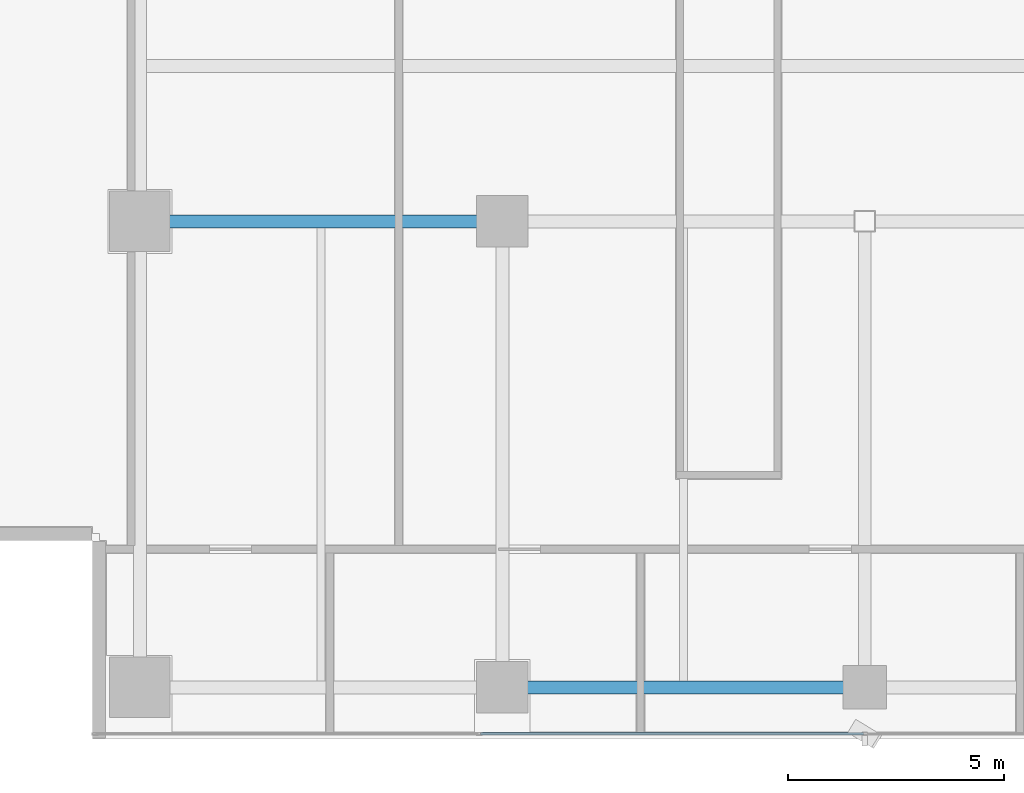
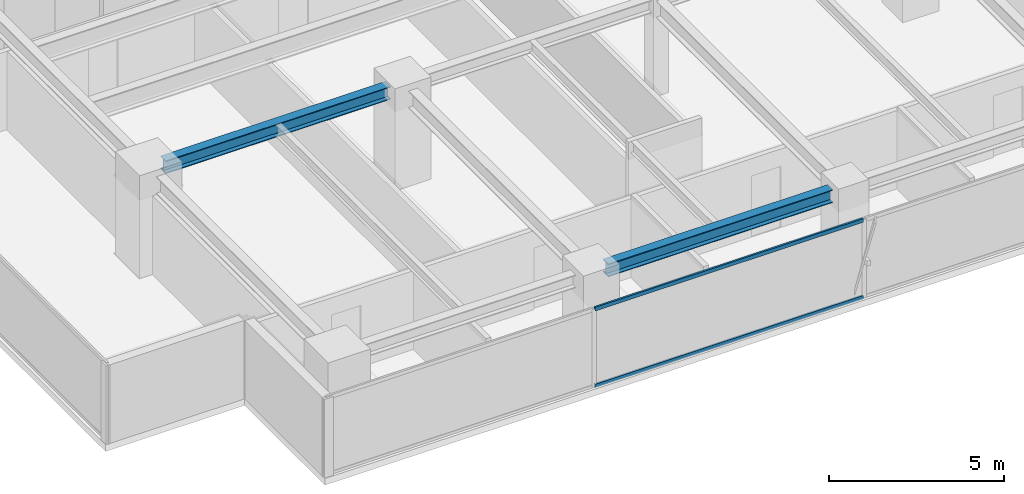
# One storey, part 5 of 26: 2 beams, 2 members, 1 element without a shape of its own.
"""IFC4 building model written with IfcOpenShell, lengths in metres."""

from ifc_helpers import new_model, si_unit, direction, frame, origin, origin_2d, place, context, subcontext, project, spatial, hollow_rectangle, i_section, extrude, source, transform, mapped, material, layer, layer_set, material_profile, profile_set, type_object, element, aggregate, save


model = new_model("IFC4")

# Units and contexts
model_context = context("Model", 3, precision=1e-05, world=origin(), true_north=direction((0.0, 1.0)))
body_context = subcontext(model_context, "Body", "Model", "MODEL_VIEW")
ifc_project = project(units=[si_unit("LENGTHUNIT", "METRE"), si_unit("AREAUNIT", "SQUARE_METRE"), si_unit("VOLUMEUNIT", "CUBIC_METRE"), si_unit("PLANEANGLEUNIT", "RADIAN"), si_unit("MASSUNIT", "GRAM", prefix="KILO")], contexts=[model_context])

# Site, building, storey
site_placement = place(None, origin())
site = spatial("IfcSite", under=ifc_project, at=site_placement, CompositionType="ELEMENT")
building_placement = place(site_placement, origin())
building = spatial("IfcBuilding", under=site, at=building_placement, Name="Sumidabori Civic Tower", CompositionType="ELEMENT")
storey_placement = place(building_placement, frame((0.0, 0.0, 254.0)))
storey = spatial("IfcBuildingStorey", under=building, at=storey_placement, Name="L66", CompositionType="ELEMENT", Elevation=254.0)

# Beams
ifc_material_1 = material(Name="Steel SN490", Category="steel")
ifc_material_profile_1 = material_profile(ifc_material_1, i_section(OverallWidth=0.300048828125, OverallDepth=0.449951171875, WebThickness=0.013916015625, FlangeThickness=0.02587890625, at=origin_2d()), Name="HE 450 B")
ifc_profile_set_1 = profile_set([ifc_material_profile_1], Name="Steel SN490")
beam_type = type_object("IfcBeamType", Name="BM-GIRD-450", PredefinedType="BEAM", material=ifc_profile_set_1)
shared_shape_1 = source(origin(), body_context, "Body", "SweptSolid", [
    extrude(i_section(OverallWidth=0.300048828125, OverallDepth=0.449951171875, WebThickness=0.013916015625, FlangeThickness=0.02587890625, at=origin_2d()), origin(), (0.0, 0.0, 1.0), 7.440185546875),
])
beam_1_placement = place(storey_placement, frame((-16.320068359375, 0.0, 3.14501953125), z_axis=(1.0, 0.0, 0.0), x_axis=(0.0, 1.0, 0.0)))
element("IfcBeam", 1, at=beam_1_placement, inside=storey, type_object=beam_type, Name="Primary Girder L66 GX-05", PredefinedType="BEAM", context=body_context, shape_type="MappedRepresentation", body=[
    mapped(shared_shape_1, transform((0.0, 0.0, 0.0), x_axis=(1.0, 0.0, 0.0), y_axis=(0.0, 1.0, 0.0), z_axis=(0.0, 0.0, 1.0), scale=1.0)),
])
shared_shape_2 = source(origin(), body_context, "Body", "SweptSolid", [
    extrude(i_section(OverallWidth=0.300048828125, OverallDepth=0.449951171875, WebThickness=0.013916015625, FlangeThickness=0.02587890625, at=origin_2d()), origin(), (0.0, 0.0, 1.0), 7.43994140625),
])
beam_2_placement = place(storey_placement, frame((-7.919921875, -10.800048828125, 3.14501953125), z_axis=(1.0, 0.0, 0.0), x_axis=(0.0, 1.0, 0.0)))
element("IfcBeam", 2, at=beam_2_placement, inside=storey, type_object=beam_type, Name="Primary Girder L66 GX-02", PredefinedType="BEAM", context=body_context, shape_type="MappedRepresentation", body=[
    mapped(shared_shape_2, transform((0.0, 0.0, 0.0), x_axis=(1.0, 0.0, 0.0), y_axis=(0.0, 1.0, 0.0), z_axis=(0.0, 0.0, 1.0), scale=1.0)),
])

# Curtain wall, members
ifc_material_2 = material(Name="Anodised Bronze Aluminium AW-6063-T6", Category="aluminium")
ifc_layer = layer(ifc_material_2, 0.179931640625, Name="Anodised Bronze Aluminium AW-6063-T6")
ifc_layer_set = layer_set([ifc_layer], Name="Anodised Bronze Aluminium AW-6063-T6")
curtain_wall_type = type_object("IfcCurtainWallType", Name="CW-SYS-5", PredefinedType="NOTDEFINED", material=ifc_layer_set)
curtain_wall_placement = place(storey_placement, origin())
curtain_wall = element("IfcCurtainWall", 3, at=curtain_wall_placement, inside=storey, type_object=curtain_wall_type, Name="Curtain Wall CW:L66:R01", PredefinedType="NOTDEFINED")
ifc_material_profile_2 = material_profile(ifc_material_2, hollow_rectangle(XDim=0.06005859375, YDim=0.1298828125, WallThickness=0.0048828125, at=origin_2d()), Name="ALU TRANSOM 130x60")
ifc_profile_set_2 = profile_set([ifc_material_profile_2], Name="Anodised Bronze Aluminium AW-6063-T6")
member_type = type_object("IfcMemberType", Name="CW-TRN-130", PredefinedType="USERDEFINED", material=ifc_profile_set_2)
shared_shape_3 = source(origin(), body_context, "Body", "SweptSolid", [
    extrude(hollow_rectangle(XDim=0.06005859375, YDim=0.1298828125, WallThickness=0.0048828125, at=origin_2d()), origin(), (0.0, 0.0, 1.0), 8.875),
])
member_1_placement = place(storey_placement, frame((-8.905029296875, -11.8798828125, 0.030029296875), z_axis=(1.0, 0.0, 0.0), x_axis=(0.0, 1.0, 0.0)))
member_1 = element("IfcMember", 4, at=member_1_placement, type_object=member_type, Name="CW-5 transom 2.1", ObjectType="TRANSOM", PredefinedType="USERDEFINED", context=body_context, shape_type="MappedRepresentation", body=[
    mapped(shared_shape_3, transform((0.0, 0.0, 0.0), x_axis=(1.0, 0.0, 0.0), y_axis=(0.0, 1.0, 0.0), z_axis=(0.0, 0.0, 1.0), scale=1.0)),
])
member_2_placement = place(storey_placement, frame((-8.905029296875, -11.8798828125, 2.719970703125), z_axis=(1.0, 0.0, 0.0), x_axis=(0.0, 1.0, 0.0)))
member_2 = element("IfcMember", 5, at=member_2_placement, type_object=member_type, Name="CW-5 transom 2.2", ObjectType="TRANSOM", PredefinedType="USERDEFINED", context=body_context, shape_type="MappedRepresentation", body=[
    mapped(shared_shape_3, transform((0.0, 0.0, 0.0), x_axis=(1.0, 0.0, 0.0), y_axis=(0.0, 1.0, 0.0), z_axis=(0.0, 0.0, 1.0), scale=1.0)),
])
aggregate(curtain_wall, [member_1, member_2])

save(model, "model.ifc")
